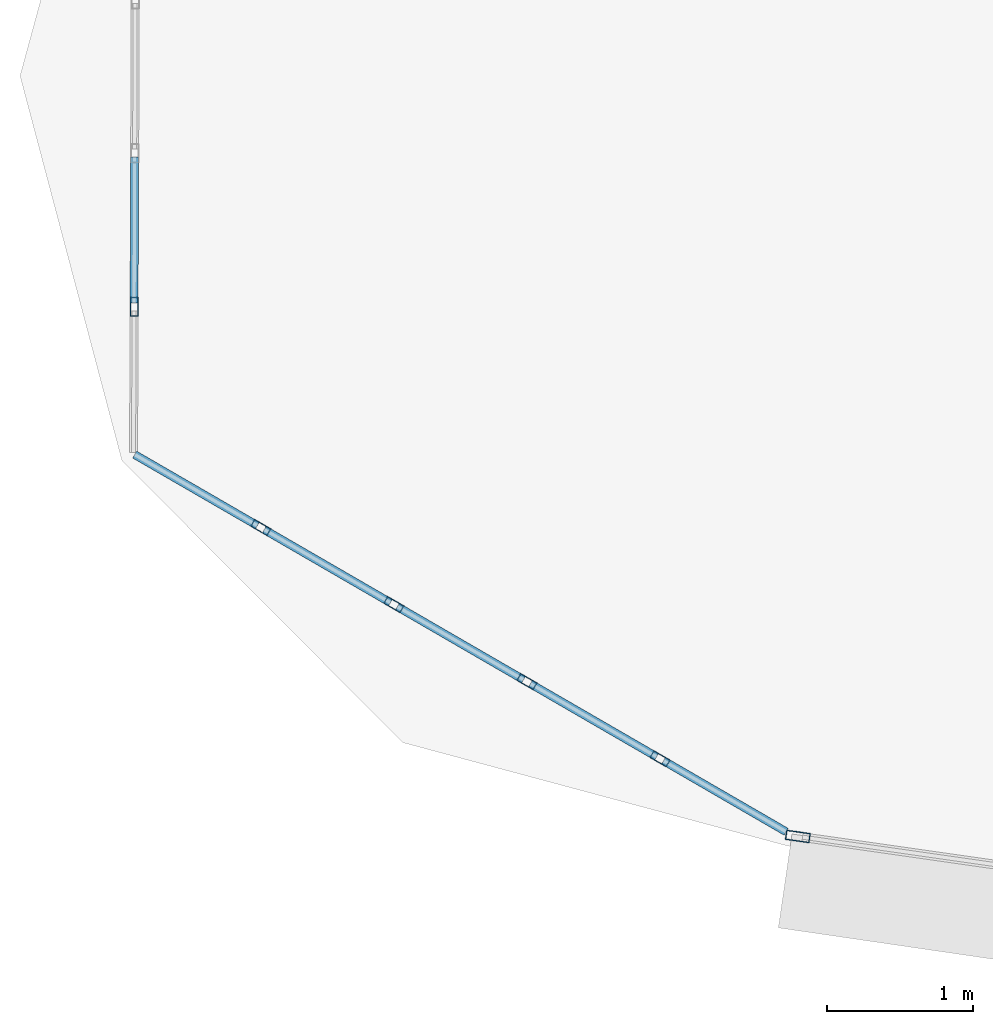
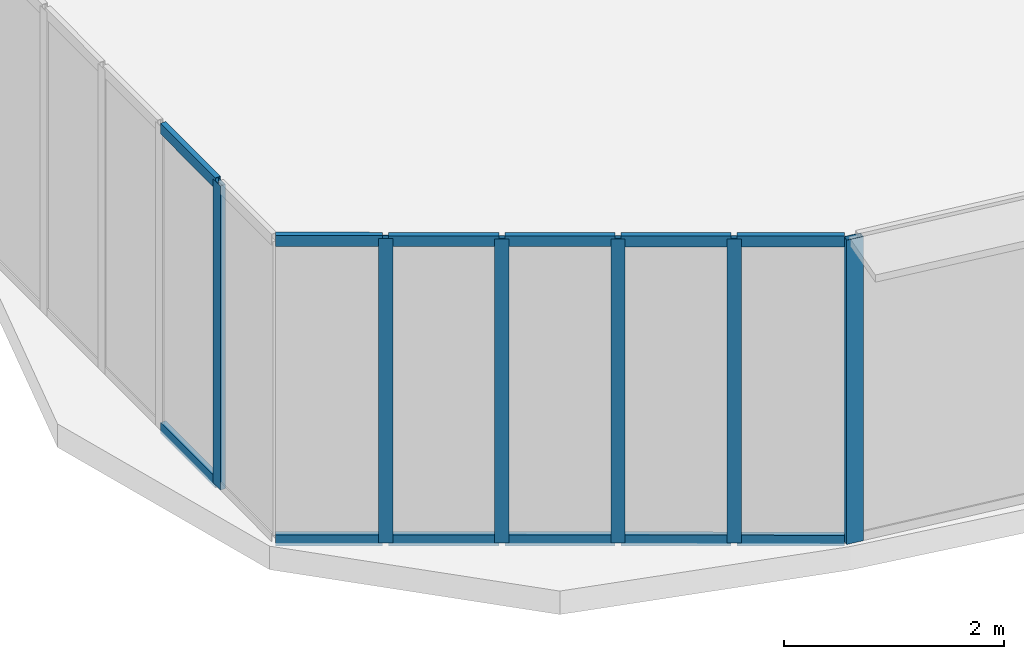
# One storey, part 2 of 40: 18 members, 3 elements without a shape of their own.
"""IFC4 building model written with IfcOpenShell, lengths in metres."""

from ifc_helpers import new_model, si_unit, direction, frame, origin, origin_2d, place, context, subcontext, project, spatial, hollow_rectangle, extrude, source, transform, mapped, material, layer, layer_set, material_profile, profile_set, type_object, element, aggregate, save


model = new_model("IFC4")

# Units and contexts
model_context = context("Model", 3, precision=1e-05, world=origin(), true_north=direction((0.0, 1.0)))
body_context = subcontext(model_context, "Body", "Model", "MODEL_VIEW")
ifc_project = project(units=[si_unit("LENGTHUNIT", "METRE"), si_unit("AREAUNIT", "SQUARE_METRE"), si_unit("VOLUMEUNIT", "CUBIC_METRE"), si_unit("PLANEANGLEUNIT", "RADIAN"), si_unit("MASSUNIT", "GRAM", prefix="KILO"), si_unit("THERMODYNAMICTEMPERATUREUNIT", "KELVIN"), si_unit("POWERUNIT", "WATT")], contexts=[model_context])

# Site, building, storey
site_placement = place(None, origin())
site = spatial("IfcSite", under=ifc_project, at=site_placement, CompositionType="ELEMENT")
building_placement = place(site_placement, origin())
building = spatial("IfcBuilding", under=site, at=building_placement, Name="Yunzhuo Pagoda Commons", CompositionType="ELEMENT")
storey_placement = place(building_placement, frame((0.0, 0.0, 66.699951171875)))
storey = spatial("IfcBuildingStorey", under=building, at=storey_placement, Name="L17", CompositionType="ELEMENT", Elevation=66.699951171875)

# Curtain wall, member
ifc_material = material(Name="Anodized aluminium 6063-T6", Category="aluminium")
ifc_layer_1 = layer(ifc_material, 0.1650390625)
ifc_layer_set_1 = layer_set([ifc_layer_1], Name="Anodized aluminium 6063-T6")
curtain_wall_type_1 = type_object("IfcCurtainWallType", Name="CW-LOW Low-Zone Ribbon Curtain Wall", PredefinedType="NOTDEFINED", material=ifc_layer_set_1)
curtain_wall_1_placement = place(storey_placement, origin())
curtain_wall_1 = element("IfcCurtainWall", 1, at=curtain_wall_1_placement, inside=storey, type_object=curtain_wall_type_1, Name="L17 curtain wall CW-L17-F1B1", PredefinedType="NOTDEFINED")
ifc_material_profile_1 = material_profile(ifc_material, hollow_rectangle(XDim=0.06494140625, YDim=0.1650390625, WallThickness=0.00390625, at=origin_2d()), Name="Anodized aluminium 6063-T6")
ifc_profile_set_1 = profile_set([ifc_material_profile_1], Name="Anodized aluminium 6063-T6")
member_type_1 = type_object("IfcMemberType", Name="CW-LOW-M Mullion RHS 165x65x4", PredefinedType="MULLION", material=ifc_profile_set_1)
shared_shape_1 = source(origin(), body_context, "Body", "SweptSolid", [
    extrude(hollow_rectangle(XDim=0.06494140625, YDim=0.1650390625, WallThickness=0.00390625, at=origin_2d()), origin(), (0.0, 0.0, 1.0), 3.3701171875),
])
member_1_placement = place(storey_placement, frame((10.0380859375, 14.861083984375, 0.0), z_axis=(0.0, 0.0, 1.0), x_axis=(0.141139872999, 0.989989664719, 0.0)))
member_1 = element("IfcMember", 2, at=member_1_placement, type_object=member_type_1, Name="CW mullion 1", PredefinedType="MULLION", context=body_context, shape_type="MappedRepresentation", body=[
    mapped(shared_shape_1, transform((0.0, 0.0, 0.0), scale=1.0)),
])
aggregate(curtain_wall_1, [member_1])

ifc_layer_2 = layer(ifc_material, 0.1298828125)
ifc_layer_set_2 = layer_set([ifc_layer_2], Name="Anodized aluminium 6063-T6")
curtain_wall_type_2 = type_object("IfcCurtainWallType", Name="CW-VTX Rounded Corner Curtain Wall", PredefinedType="NOTDEFINED", material=ifc_layer_set_2)
curtain_wall_2_placement = place(storey_placement, origin())
curtain_wall_2 = element("IfcCurtainWall", 3, at=curtain_wall_2_placement, inside=storey, type_object=curtain_wall_type_2, Name="L17 curtain wall CW-L17-VTX1S1", PredefinedType="NOTDEFINED")
ifc_material_profile_2 = material_profile(ifc_material, hollow_rectangle(XDim=0.054931640625, YDim=0.1298828125, WallThickness=0.00341796875, at=origin_2d()), Name="Anodized aluminium 6063-T6")
ifc_profile_set_2 = profile_set([ifc_material_profile_2], Name="Anodized aluminium 6063-T6")
member_type_2 = type_object("IfcMemberType", Name="CW-VTX-M Mullion RHS 130x55x3.5", PredefinedType="MULLION", material=ifc_profile_set_2)
shared_shape_2 = source(origin(), body_context, "Body", "SweptSolid", [
    extrude(hollow_rectangle(XDim=0.054931640625, YDim=0.1298828125, WallThickness=0.00341796875, at=origin_2d()), origin(), (0.0, 0.0, 1.0), 3.3701171875),
])
member_2_placement = place(storey_placement, frame((5.48779296875, 18.4912109375, 0.0), z_axis=(0.0, 0.0, 1.0), x_axis=(0.999993571837, -0.003585566294, 0.0)))
member_2 = element("IfcMember", 4, at=member_2_placement, type_object=member_type_2, Name="CW mullion 5", PredefinedType="MULLION", context=body_context, shape_type="MappedRepresentation", body=[
    mapped(shared_shape_2, transform((0.0, 0.0, 0.0), scale=1.0)),
])

# Curtain wall, members
curtain_wall_3_placement = place(storey_placement, origin())
curtain_wall_3 = element("IfcCurtainWall", 5, at=curtain_wall_3_placement, inside=storey, type_object=curtain_wall_type_2, Name="L17 curtain wall CW-L17-VTX1S2", PredefinedType="NOTDEFINED")
member_3_placement = place(storey_placement, frame((6.3564453125, 16.978515625, 0.0), z_axis=(0.0, 0.0, 1.0), x_axis=(0.501038514064, 0.865424986596, 0.0)))
member_3 = element("IfcMember", 6, at=member_3_placement, type_object=member_type_2, Name="CW mullion 2", PredefinedType="MULLION", context=body_context, shape_type="MappedRepresentation", body=[
    mapped(shared_shape_2, transform((0.0, 0.0, 0.0), scale=1.0)),
])
member_4_placement = place(storey_placement, frame((7.268798828125, 16.4501953125, 0.0), z_axis=(0.0, 0.0, 1.0), x_axis=(0.501038514064, 0.865424986596, 0.0)))
member_4 = element("IfcMember", 7, at=member_4_placement, type_object=member_type_2, Name="CW mullion 3", PredefinedType="MULLION", context=body_context, shape_type="MappedRepresentation", body=[
    mapped(shared_shape_2, transform((0.0, 0.0, 0.0), scale=1.0)),
])
member_5_placement = place(storey_placement, frame((8.18115234375, 15.922119140625, 0.0), z_axis=(0.0, 0.0, 1.0), x_axis=(0.501038514064, 0.865424986596, 0.0)))
member_5 = element("IfcMember", 8, at=member_5_placement, type_object=member_type_2, Name="CW mullion 4", PredefinedType="MULLION", context=body_context, shape_type="MappedRepresentation", body=[
    mapped(shared_shape_2, transform((0.0, 0.0, 0.0), scale=1.0)),
])
member_6_placement = place(storey_placement, frame((9.093505859375, 15.393798828125, 0.0), z_axis=(0.0, 0.0, 1.0), x_axis=(0.501038514064, 0.865424986596, 0.0)))
member_6 = element("IfcMember", 9, at=member_6_placement, type_object=member_type_2, Name="CW mullion 5", PredefinedType="MULLION", context=body_context, shape_type="MappedRepresentation", body=[
    mapped(shared_shape_2, transform((0.0, 0.0, 0.0), scale=1.0)),
])
ifc_material_profile_3 = material_profile(ifc_material, hollow_rectangle(XDim=0.054931640625, YDim=0.1201171875, WallThickness=0.00341796875, at=origin_2d()), Name="Anodized aluminium 6063-T6")
ifc_profile_set_3 = profile_set([ifc_material_profile_3], Name="Anodized aluminium 6063-T6")
member_type_3 = type_object("IfcMemberType", Name="CW-VTX-T Transom RHS 120x55x3.5", PredefinedType="USERDEFINED", material=ifc_profile_set_3)
shared_shape_3 = source(origin(), body_context, "Body", "SweptSolid", [
    extrude(hollow_rectangle(XDim=0.054931640625, YDim=0.1201171875, WallThickness=0.00341796875, at=origin_2d()), origin(), (0.0, 0.0, 1.0), 0.9716796875),
])
member_7_placement = place(storey_placement, frame((5.49169921875, 17.47900390625, 0.027587890625), z_axis=(0.865586796506, -0.500758921752, 0.0), x_axis=(0.500758921752, 0.865586796506, 0.0)))
member_7 = element("IfcMember", 10, at=member_7_placement, type_object=member_type_3, Name="CW transom 1.1", ObjectType="TRANSOM", PredefinedType="USERDEFINED", context=body_context, shape_type="MappedRepresentation", body=[
    mapped(shared_shape_3, transform((0.0, 0.0, 0.0), scale=1.0)),
])
member_8_placement = place(storey_placement, frame((5.49169921875, 17.47900390625, 3.3427734375), z_axis=(0.865586796506, -0.500758921752, 0.0), x_axis=(0.500758921752, 0.865586796506, 0.0)))
member_8 = element("IfcMember", 11, at=member_8_placement, type_object=member_type_3, Name="CW transom 1.2", ObjectType="TRANSOM", PredefinedType="USERDEFINED", context=body_context, shape_type="MappedRepresentation", body=[
    mapped(shared_shape_3, transform((0.0, 0.0, 0.0), scale=1.0)),
])
member_9_placement = place(storey_placement, frame((9.117431640625, 15.380126953125, 0.027587890625), z_axis=(0.865305848027, -0.501244241235, 0.0), x_axis=(0.501244241235, 0.865305848027, 0.0)))
member_9 = element("IfcMember", 12, at=member_9_placement, type_object=member_type_3, Name="CW transom 5.1", ObjectType="TRANSOM", PredefinedType="USERDEFINED", context=body_context, shape_type="MappedRepresentation", body=[
    mapped(shared_shape_3, transform((0.0, 0.0, 0.0), scale=1.0)),
])
member_10_placement = place(storey_placement, frame((9.117431640625, 15.380126953125, 3.3427734375), z_axis=(0.865305848027, -0.501244241235, 0.0), x_axis=(0.501244241235, 0.865305848027, 0.0)))
member_10 = element("IfcMember", 13, at=member_10_placement, type_object=member_type_3, Name="CW transom 5.2", ObjectType="TRANSOM", PredefinedType="USERDEFINED", context=body_context, shape_type="MappedRepresentation", body=[
    mapped(shared_shape_3, transform((0.0, 0.0, 0.0), scale=1.0)),
])

# Member
shared_shape_4 = source(origin(), body_context, "Body", "SweptSolid", [
    extrude(hollow_rectangle(XDim=0.054931640625, YDim=0.1201171875, WallThickness=0.00341796875, at=origin_2d()), origin(), (0.0, 0.0, 1.0), 0.999267578125),
])
member_11_placement = place(storey_placement, frame((5.491455078125, 19.51806640625, 0.027587890625), z_axis=(-0.00366476894, -0.999993284712, 0.0), x_axis=(0.999993284712, -0.00366476894, 0.0)))
member_11 = element("IfcMember", 14, at=member_11_placement, type_object=member_type_3, Name="CW transom 4.1", ObjectType="TRANSOM", PredefinedType="USERDEFINED", context=body_context, shape_type="MappedRepresentation", body=[
    mapped(shared_shape_4, transform((0.0, 0.0, 0.0), scale=1.0)),
])

member_12_placement = place(storey_placement, frame((5.491455078125, 19.51806640625, 3.3427734375), z_axis=(-0.00366476894, -0.999993284712, 0.0), x_axis=(0.999993284712, -0.00366476894, 0.0)))
member_12 = element("IfcMember", 15, at=member_12_placement, type_object=member_type_3, Name="CW transom 4.2", ObjectType="TRANSOM", PredefinedType="USERDEFINED", context=body_context, shape_type="MappedRepresentation", body=[
    mapped(shared_shape_4, transform((0.0, 0.0, 0.0), scale=1.0)),
])

aggregate(curtain_wall_2, [member_2, member_11, member_12])

member_13_placement = place(storey_placement, frame((6.380126953125, 16.964599609375, 0.027587890625), z_axis=(0.86538725222, -0.501103685574, 0.0), x_axis=(0.501103685574, 0.86538725222, 0.0)))
member_13 = element("IfcMember", 16, at=member_13_placement, type_object=member_type_3, Name="CW transom 2.1", ObjectType="TRANSOM", PredefinedType="USERDEFINED", context=body_context, shape_type="MappedRepresentation", body=[
    mapped(shared_shape_4, transform((0.0, 0.0, 0.0), scale=1.0)),
])

member_14_placement = place(storey_placement, frame((6.380126953125, 16.964599609375, 3.3427734375), z_axis=(0.86538725222, -0.501103685574, 0.0), x_axis=(0.501103685574, 0.86538725222, 0.0)))
member_14 = element("IfcMember", 17, at=member_14_placement, type_object=member_type_3, Name="CW transom 2.2", ObjectType="TRANSOM", PredefinedType="USERDEFINED", context=body_context, shape_type="MappedRepresentation", body=[
    mapped(shared_shape_4, transform((0.0, 0.0, 0.0), scale=1.0)),
])

member_15_placement = place(storey_placement, frame((8.204833984375, 15.908203125, 0.027587890625), z_axis=(0.86538725222, -0.501103685574, 0.0), x_axis=(0.501103685574, 0.86538725222, 0.0)))
member_15 = element("IfcMember", 18, at=member_15_placement, type_object=member_type_3, Name="CW transom 4.1", ObjectType="TRANSOM", PredefinedType="USERDEFINED", context=body_context, shape_type="MappedRepresentation", body=[
    mapped(shared_shape_4, transform((0.0, 0.0, 0.0), scale=1.0)),
])

member_16_placement = place(storey_placement, frame((8.204833984375, 15.908203125, 3.3427734375), z_axis=(0.86538725222, -0.501103685574, 0.0), x_axis=(0.501103685574, 0.86538725222, 0.0)))
member_16 = element("IfcMember", 19, at=member_16_placement, type_object=member_type_3, Name="CW transom 4.2", ObjectType="TRANSOM", PredefinedType="USERDEFINED", context=body_context, shape_type="MappedRepresentation", body=[
    mapped(shared_shape_4, transform((0.0, 0.0, 0.0), scale=1.0)),
])

shared_shape_5 = source(origin(), body_context, "Body", "SweptSolid", [
    extrude(hollow_rectangle(XDim=0.054931640625, YDim=0.1201171875, WallThickness=0.00341796875, at=origin_2d()), origin(), (0.0, 0.0, 1.0), 0.9990234375),
])
member_17_placement = place(storey_placement, frame((7.292724609375, 16.4365234375, 0.027587890625), z_axis=(0.865325882395, -0.501209653994, 0.0), x_axis=(0.501209653994, 0.865325882395, 0.0)))
member_17 = element("IfcMember", 20, at=member_17_placement, type_object=member_type_3, Name="CW transom 3.1", ObjectType="TRANSOM", PredefinedType="USERDEFINED", context=body_context, shape_type="MappedRepresentation", body=[
    mapped(shared_shape_5, transform((0.0, 0.0, 0.0), scale=1.0)),
])

member_18_placement = place(storey_placement, frame((7.292724609375, 16.4365234375, 3.3427734375), z_axis=(0.865325882395, -0.501209653994, 0.0), x_axis=(0.501209653994, 0.865325882395, 0.0)))
member_18 = element("IfcMember", 21, at=member_18_placement, type_object=member_type_3, Name="CW transom 3.2", ObjectType="TRANSOM", PredefinedType="USERDEFINED", context=body_context, shape_type="MappedRepresentation", body=[
    mapped(shared_shape_5, transform((0.0, 0.0, 0.0), scale=1.0)),
])

aggregate(curtain_wall_3, [member_3, member_4, member_5, member_6, member_7, member_8, member_13, member_14, member_17, member_18, member_15, member_16, member_9, member_10])

save(model, "model.ifc")
